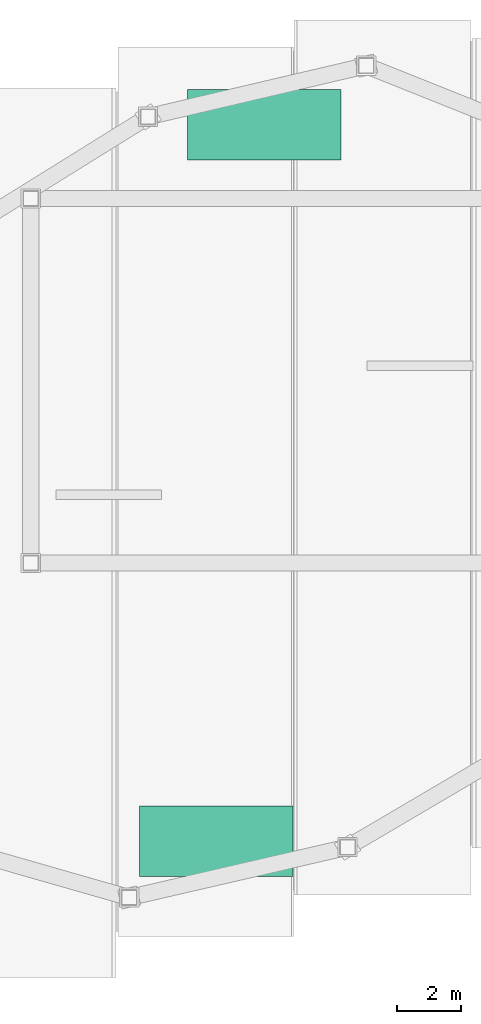
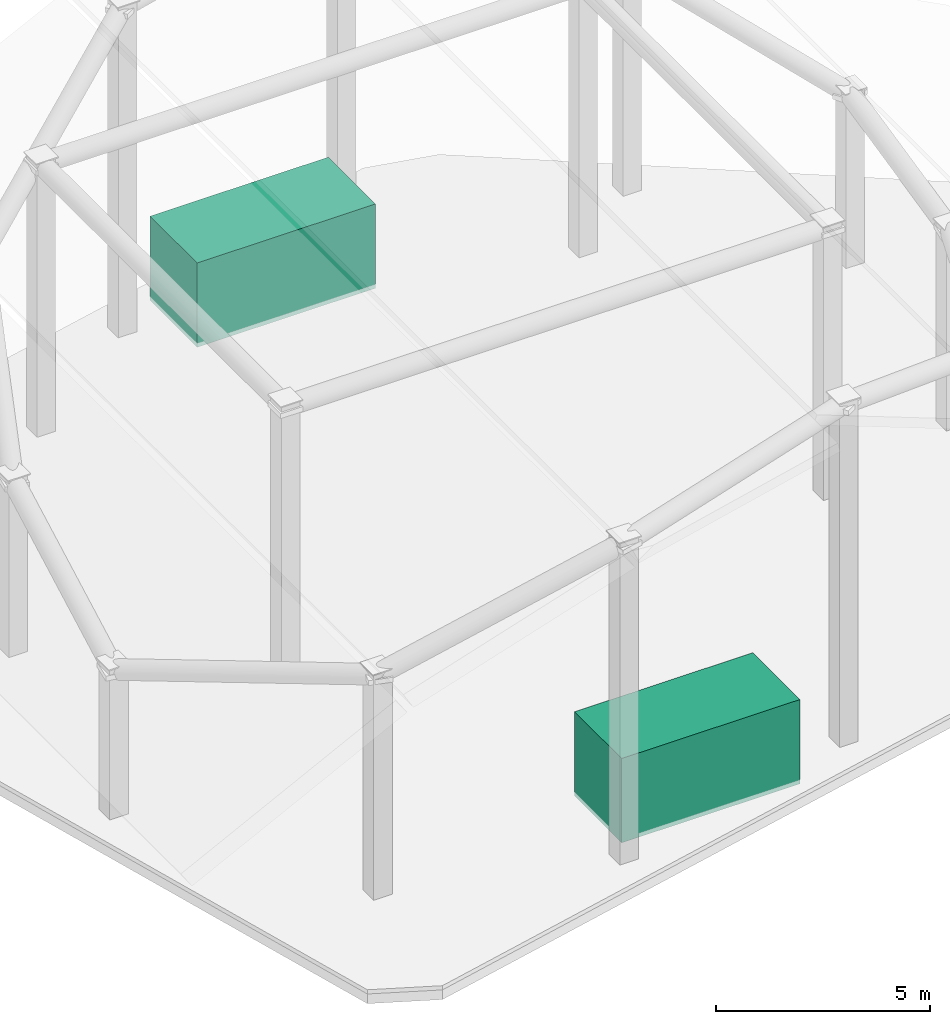
# One storey, part 3 of 3: 2 electric generators.
"""IFC4 building model written with IfcOpenShell, lengths in metres."""

from ifc_helpers import new_model, si_unit, direction, frame, origin, origin_2d, place, context, subcontext, project, spatial, rectangle, extrude, source, transform, mapped, material, type_object, type_shapes, element, save


model = new_model("IFC4")

# Units and contexts
model_context = context("Model", 3, precision=1e-05, world=origin(), true_north=direction((0.0, 1.0)))
body_context = subcontext(model_context, "Body", "Model", "MODEL_VIEW")
ifc_project = project(units=[si_unit("LENGTHUNIT", "METRE"), si_unit("AREAUNIT", "SQUARE_METRE"), si_unit("VOLUMEUNIT", "CUBIC_METRE"), si_unit("PLANEANGLEUNIT", "RADIAN"), si_unit("MASSUNIT", "GRAM", prefix="KILO")], contexts=[model_context])

# Site, building, storey
site_placement = place(None, origin())
site = spatial("IfcSite", under=ifc_project, at=site_placement, CompositionType="ELEMENT")
building_placement = place(site_placement, origin())
building = spatial("IfcBuilding", under=site, at=building_placement, Name="Talar Marvaseh", CompositionType="ELEMENT")
storey_placement = place(building_placement, frame((0.0, 0.0, 316.0)))
storey = spatial("IfcBuildingStorey", under=building, at=storey_placement, Name="RF", CompositionType="ELEMENT", Elevation=316.0)

# Electric generators
ifc_material = material(Name="Architectural Aluminium", Category="aluminium")
electric_generator_type = type_object("IfcElectricGeneratorType", Name="Rooftop Centrifugal Chiller and Cooling Plant Skid", PredefinedType="STANDALONE", material=ifc_material)
shared_shape = source(origin(), body_context, "Body", "SweptSolid", [
    extrude(rectangle(XDim=4.800048828125, YDim=2.199951171875, at=origin_2d()), origin(), (0.0, 0.0, 1.0), 2.39990234375),
])
type_shapes(electric_generator_type, [shared_shape])
for number, where, z_axis, x_axis, name in (
    (1, (26.0, 39.199951171875, 0.0), (0.0, 0.0, 1.0), (1.0, 0.0, 0.0), "RF Crown Plant Skid 1"),
    (2, (24.5, 16.800048828125, 0.0), (0.0, 0.0, 1.0), (1.0, 0.0, 0.0), "RF Crown Plant Skid 2"),
):
    element("IfcElectricGenerator", number, at=place(storey_placement, frame(where, z_axis=z_axis, x_axis=x_axis)), inside=storey, type_object=electric_generator_type, Name=name, PredefinedType="STANDALONE", context=body_context, shape_type="MappedRepresentation", body=[
        mapped(shared_shape, transform((0.0, 0.0, 0.0), x_axis=(1.0, 0.0, 0.0), y_axis=(0.0, 1.0, 0.0), z_axis=(0.0, 0.0, 1.0), scale=1.0)),
    ])

save(model, "model.ifc")
